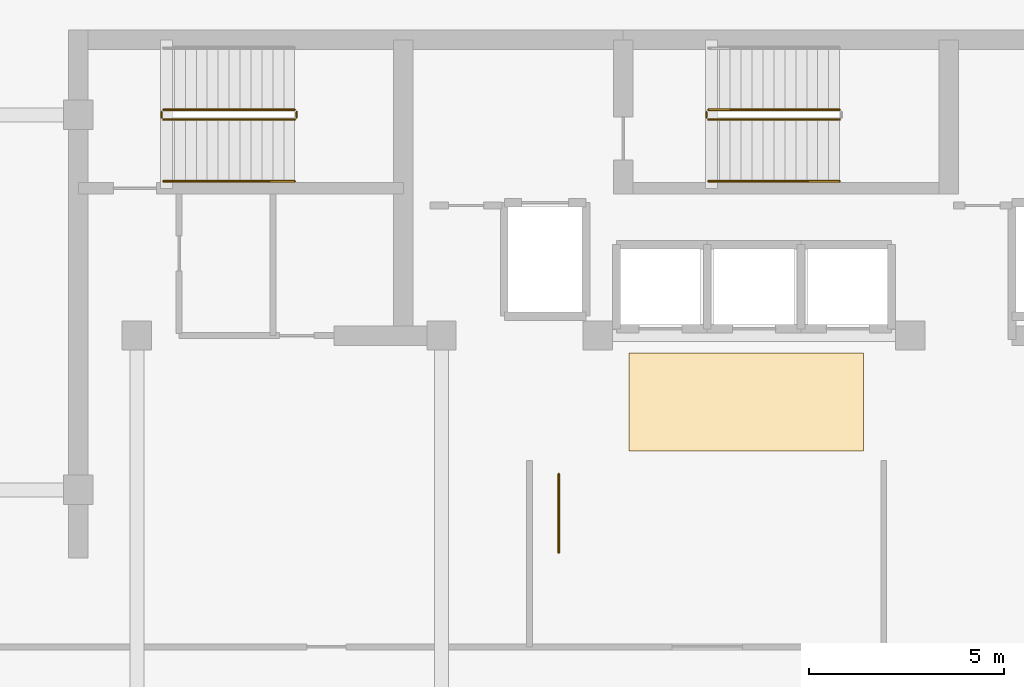
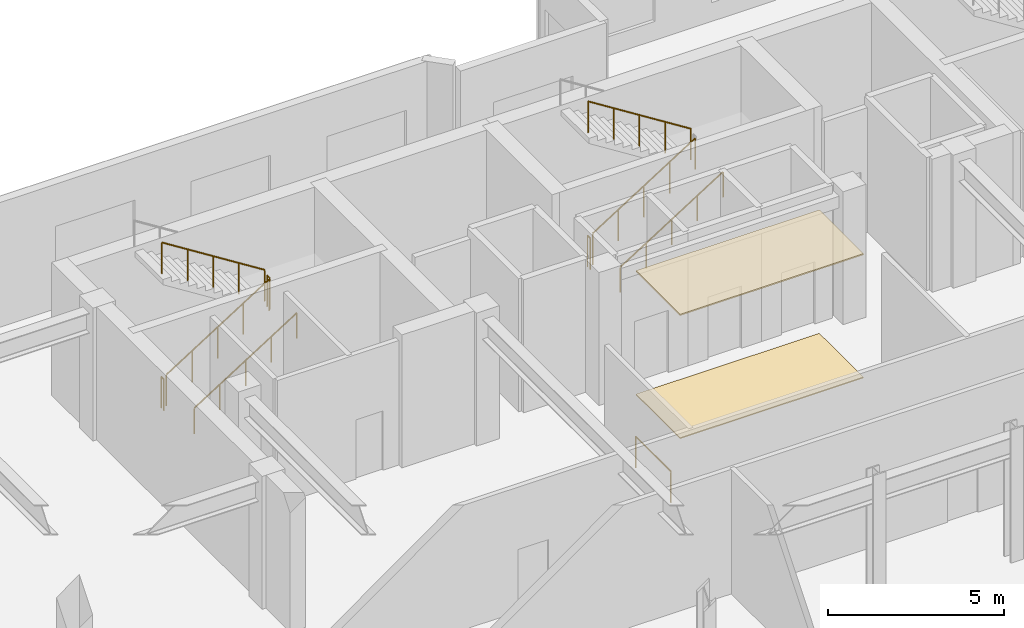
# One storey, part 11 of 14: 10 railings, 2 coverings.
"""IFC4 building model written with IfcOpenShell, lengths in metres."""

import ifcopenshell
import ifcopenshell.guid

model = None  # the IFC model being written
_history = None  # IfcOwnerHistory: only IFC2X3 demands one
_inside = {}  # id of a spatial element -> (the spatial element, [elements in it])
_under = {}  # id of a project, library or spatial element -> (it, [spatial elements below it])
_declared = {}  # id of a project -> (the project, [libraries it declares])
_typed = {}  # id of a type object -> (the type object, [elements of that type])
_made_of = {}  # id of a material, layer set ... -> (it, [elements and type objects made of it])


def new_model(schema):
    """Start an empty IFC model of exactly this schema.

    Asked for "IFC4X3", IfcOpenShell would pick the latest addendum, in which some entities
    have other attributes; the version numbers below select the first issue.
    IFC2X3 requires an IfcOwnerHistory on every rooted entity: one is made here for all.
    """
    global model, _history
    if schema == "IFC4X3":
        model = ifcopenshell.file(schema_version=(4, 3, 0, 0))
    else:
        model = ifcopenshell.file(schema=schema)
    _inside.clear()
    _under.clear()
    _declared.clear()
    _typed.clear()
    _made_of.clear()
    _history = None
    if model.schema == "IFC2X3":
        org = make("IfcOrganization", Name="unknown")
        user = make(
            "IfcPersonAndOrganization",
            ThePerson=make("IfcPerson", FamilyName="unknown"),
            TheOrganization=org,
        )
        app = make(
            "IfcApplication",
            ApplicationDeveloper=org,
            Version="unknown",
            ApplicationFullName="unknown",
            ApplicationIdentifier="unknown",
        )
        _history = make(
            "IfcOwnerHistory",
            OwningUser=user,
            OwningApplication=app,
            ChangeAction="ADDED",
            CreationDate=0,
        )
    return model


def make(cls, **values):
    """One entity of the class cls with the attributes given. An attribute that is None is left unset."""
    return model.create_entity(
        cls, **{name: value for name, value in values.items() if value is not None}
    )


def rooted(cls, **values):
    """An entity with a GlobalId (a new one), such as an element, a storey or a relation."""
    return make(cls, GlobalId=ifcopenshell.guid.new(), OwnerHistory=_history, **values)


def si_unit(unit_type, name, prefix=None):
    """IfcSIUnit, for example si_unit("LENGTHUNIT", "METRE", prefix="MILLI")."""
    return make("IfcSIUnit", UnitType=unit_type, Prefix=prefix, Name=name)


def assignment(units):
    """IfcUnitAssignment: the units of a project."""
    return None if units is None else make("IfcUnitAssignment", Units=units)


def point(xyz):
    """IfcCartesianPoint."""
    return None if xyz is None else make("IfcCartesianPoint", Coordinates=xyz)


def direction(xyz):
    """IfcDirection."""
    return None if xyz is None else make("IfcDirection", DirectionRatios=xyz)


def frame(location, z_axis=None, x_axis=None):
    """IfcAxis2Placement3D, a coordinate frame: its origin and axes. An axis left out is left unset."""
    return make(
        "IfcAxis2Placement3D",
        Location=point(location),
        Axis=direction(z_axis),
        RefDirection=direction(x_axis),
    )


def frame_2d(location, x_axis=None):
    """IfcAxis2Placement2D, a coordinate frame in the plane: its origin and x axis."""
    return make(
        "IfcAxis2Placement2D", Location=point(location), RefDirection=direction(x_axis)
    )


def origin():
    """The frame at (0, 0, 0) with its axes left unset."""
    return frame((0.0, 0.0, 0.0))


def origin_2d():
    """The frame at (0, 0) in the plane with its x axis left unset."""
    return frame_2d((0.0, 0.0))


def place(relative_to, where):
    """IfcLocalPlacement: puts the frame where relative to a parent placement (None: the world)."""
    return make(
        "IfcLocalPlacement", PlacementRelTo=relative_to, RelativePlacement=where
    )


def context(
    kind, dimensions, precision=None, world=None, true_north=None, identifier=None
):
    """IfcGeometricRepresentationContext, for example the 3D "Model" context."""
    return make(
        "IfcGeometricRepresentationContext",
        ContextIdentifier=identifier,
        ContextType=kind,
        CoordinateSpaceDimension=dimensions,
        Precision=precision,
        WorldCoordinateSystem=world,
        TrueNorth=true_north,
    )


def subcontext(parent, identifier, kind, view, scale=None):
    """IfcGeometricRepresentationSubContext, for example "Body" below "Model"."""
    return make(
        "IfcGeometricRepresentationSubContext",
        ContextIdentifier=identifier,
        ContextType=kind,
        ParentContext=parent,
        TargetScale=scale,
        TargetView=view,
    )


def project(units=None, contexts=None):
    """IfcProject with its units and contexts."""
    return rooted(
        "IfcProject",
        Name="project",
        RepresentationContexts=contexts,
        UnitsInContext=assignment(units),
    )


def spatial(cls, under=None, at=None, **own):
    """A site, building, storey or space (cls), placed at a placement, below another one or the project."""
    s = rooted(cls, ObjectPlacement=at, **own)
    if under is not None:
        _under.setdefault(under.id(), (under, []))[1].append(s)
    return s


def polyline(points):
    """IfcPolyline through the points."""
    return make("IfcPolyline", Points=[point(p) for p in points])


def profile(cls, at=None, kind="AREA", **sizes):
    """A parametric profile (cls). Its sizes go by their IFC names, for example OverallWidth=200.0."""
    return make(cls, ProfileType=kind, Position=at, **sizes)


def circle(**sizes):
    """IfcCircleProfileDef."""
    return profile("IfcCircleProfileDef", **sizes)


def outline(outer, holes=None, kind="AREA"):
    """IfcArbitraryClosedProfileDef: a profile drawn as a closed curve; with holes, ...WithVoids."""
    if holes is None:
        return make("IfcArbitraryClosedProfileDef", ProfileType=kind, OuterCurve=outer)
    return make(
        "IfcArbitraryProfileDefWithVoids",
        ProfileType=kind,
        OuterCurve=outer,
        InnerCurves=holes,
    )


def extrude(swept, where, along, depth):
    """IfcExtrudedAreaSolid: the profile swept, set in the frame where, extruded along a direction by depth."""
    return make(
        "IfcExtrudedAreaSolid",
        SweptArea=swept,
        Position=where,
        ExtrudedDirection=direction(along),
        Depth=depth,
    )


def shape(context_of_items, identifier, shape_type, items):
    """IfcShapeRepresentation: the items that make up one representation, for example the "Body"."""
    return make(
        "IfcShapeRepresentation",
        ContextOfItems=context_of_items,
        RepresentationIdentifier=identifier,
        RepresentationType=shape_type,
        Items=items,
    )


def material(Name=None, Category=None):
    """IfcMaterial."""
    return make("IfcMaterial", Name=Name, Category=Category)


def layer(
    of_material, thickness, ventilated=None, Name=None, Category=None, Priority=None
):
    """IfcMaterialLayer: one layer of a wall or slab, of a material (None: an air gap)."""
    return make(
        "IfcMaterialLayer",
        Material=of_material,
        LayerThickness=thickness,
        IsVentilated=ventilated,
        Name=Name,
        Category=Category,
        Priority=Priority,
    )


def layer_set(layers, Name=None):
    """IfcMaterialLayerSet."""
    return make("IfcMaterialLayerSet", MaterialLayers=layers, LayerSetName=Name)


def made_of(thing, what):
    """Note that an element or type object is made of a material, layer set ...; save() writes the relation."""
    if what is not None:
        _made_of.setdefault(what.id(), (what, []))[1].append(thing)
    return thing


def type_object(cls, material=None, **own):
    """A type object (cls), such as IfcWallType, which elements share."""
    return made_of(rooted(cls, **own), material)


def element(
    cls,
    number,
    at=None,
    inside=None,
    cuts=None,
    type_object=None,
    material=None,
    context=None,
    identifier="Body",
    shape_type=None,
    held_by="IfcProductDefinitionShape",
    body=None,
    shapes=None,
    **own,
):
    """One element of the class cls, such as IfcWall. Its Tag is "e" and its number.

    at: its placement. inside: the storey or other place that contains it. cuts: it is an
    opening in that element (IfcRelVoidsElement). A single representation is given by context,
    identifier, shape_type and body (its items); several are given by shapes. held_by: the class
    of the entity that holds the representations. save() writes the other relations.
    """
    e = rooted(cls, Tag="e%d" % number, ObjectPlacement=at, **own)
    if body is not None:
        shapes = [shape(context, identifier, shape_type, body)]
    if shapes is not None:
        e.Representation = make(held_by, Representations=shapes)
    if inside is not None:
        _inside.setdefault(inside.id(), (inside, []))[1].append(e)
    if cuts is not None:
        rooted(
            "IfcRelVoidsElement", RelatingBuildingElement=cuts, RelatedOpeningElement=e
        )
    if type_object is not None:
        _typed.setdefault(type_object.id(), (type_object, []))[1].append(e)
    return made_of(e, material)


def aggregate(whole, parts):
    """IfcRelAggregates: a whole, such as a stair, and the parts it consists of."""
    return rooted("IfcRelAggregates", RelatingObject=whole, RelatedObjects=parts)


def save(model, path):
    """Write the relations noted so far, then the file.

    IfcRelAggregates (storeys below a building ...), IfcRelContainedInSpatialStructure (elements
    in a storey), IfcRelDefinesByType, IfcRelAssociatesMaterial and IfcRelDeclares: one each for
    every whole, place, type object, material and project.
    """
    for whole, parts in _under.values():
        aggregate(whole, parts)
    for where, things in _inside.values():
        rooted(
            "IfcRelContainedInSpatialStructure",
            RelatedElements=things,
            RelatingStructure=where,
        )
    for kind, things in _typed.values():
        rooted("IfcRelDefinesByType", RelatedObjects=things, RelatingType=kind)
    for what, things in _made_of.values():
        rooted("IfcRelAssociatesMaterial", RelatedObjects=things, RelatingMaterial=what)
    for by, libraries in _declared.values():
        rooted("IfcRelDeclares", RelatingContext=by, RelatedDefinitions=libraries)
    model.write(path)


model = new_model("IFC4")

# Units and contexts
model_context = context("Model", 3, precision=1e-05, world=origin(), true_north=direction((0.0, 1.0)))
body_context = subcontext(model_context, "Body", "Model", "MODEL_VIEW")
ifc_project = project(units=[si_unit("LENGTHUNIT", "METRE"), si_unit("AREAUNIT", "SQUARE_METRE"), si_unit("VOLUMEUNIT", "CUBIC_METRE"), si_unit("PLANEANGLEUNIT", "RADIAN"), si_unit("MASSUNIT", "GRAM", prefix="KILO")], contexts=[model_context])

# Site, building, storey
site_placement = place(None, origin())
site = spatial("IfcSite", under=ifc_project, at=site_placement, CompositionType="ELEMENT")
building_placement = place(site_placement, origin())
building = spatial("IfcBuilding", under=site, at=building_placement, Name="Kestravale Grand Hotel", CompositionType="ELEMENT")
storey_placement = place(building_placement, frame((0.0, 0.0, 297.39990234375)))
storey = spatial("IfcBuildingStorey", under=building, at=storey_placement, Name="L74", CompositionType="ELEMENT", Elevation=297.39990234375)

# Coverings
ifc_material_1 = material(Name="Perforated gypsum and mineral-fibre acoustic ceiling", Category="other")
ifc_layer_1 = layer(ifc_material_1, 0.044921875)
ifc_layer_set_1 = layer_set([ifc_layer_1], Name="COV-INT-CEIL")
covering_type_1 = type_object("IfcCoveringType", Name="COV-INT-CEIL", PredefinedType="CEILING", material=ifc_layer_set_1)
covering_1_placement = place(storey_placement, frame((0.0, 0.0, 4.26513671875)))
element("IfcCovering", 1, at=covering_1_placement, inside=storey, type_object=covering_type_1, Name="L74 elevator lobby acoustic coffered ceiling", PredefinedType="CEILING", context=body_context, shape_type="SweptSolid", body=[
    extrude(outline(polyline([(36.0, 29.800048828125), (42.0, 29.800048828125), (42.0, 32.300048828125), (36.0, 32.300048828125), (36.0, 29.800048828125)])), origin(), (0.0, 0.0, 1.0), 0.044921875),
])
ifc_material_2 = material(Name="Polished Art Deco brass-inlaid terrazzo flooring", Category="masonry")
ifc_layer_2 = layer(ifc_material_2, 0.034912109375)
ifc_layer_set_2 = layer_set([ifc_layer_2], Name="COV-INT-TERZ")
covering_type_2 = type_object("IfcCoveringType", Name="COV-INT-TERZ", PredefinedType="FLOORING", material=ifc_layer_set_2)
covering_2_placement = place(storey_placement, origin())
element("IfcCovering", 2, at=covering_2_placement, inside=storey, type_object=covering_type_2, Name="L74 elevator lobby brass-inlaid terrazzo floor", PredefinedType="FLOORING", context=body_context, shape_type="SweptSolid", body=[
    extrude(outline(polyline([(36.0, 29.800048828125), (42.0, 29.800048828125), (42.0, 32.300048828125), (36.0, 32.300048828125), (36.0, 29.800048828125)])), origin(), (0.0, 0.0, 1.0), 0.03515625),
])

# Railings
ifc_material_3 = material(Name="Art Deco fluted bronze interior gallery balustrade", Category="steel")
railing_type_1 = type_object("IfcRailingType", Name="RL-INT-BAL1100", PredefinedType="BALUSTRADE", material=ifc_material_3)
railing_1_placement = place(storey_placement, frame((34.199951171875, 27.199951171875, 0.0)))
element("IfcRailing", 3, at=railing_1_placement, inside=storey, type_object=railing_type_1, Name="L74 Art Deco bronze concourse balustrade", PredefinedType="BALUSTRADE", context=body_context, shape_type="SweptSolid", body=[
    extrude(circle(Radius=0.02392578125, at=origin_2d()), frame((0.0, 0.0, 1.076171875), z_axis=(0.0, 1.0, 0.0), x_axis=(-1.0, 0.0, 0.0)), (0.0, 0.0, 1.0), 2.0),
    extrude(circle(Radius=0.02099609375, at=origin_2d()), origin(), (0.0, 0.0, 1.0), 1.052001953125),
    extrude(circle(Radius=0.02099609375, at=origin_2d()), frame((0.0, 2.0, 0.0)), (0.0, 0.0, 1.0), 1.052001953125),
])
ifc_material_4 = material(Name="Painted tubular steel stair well guard", Category="steel")
railing_type_2 = type_object("IfcRailingType", Name="RL-ST-GRD1100", PredefinedType="GUARDRAIL", material=ifc_material_4)
railing_2_placement = place(storey_placement, frame((24.080078125, 38.280029296875, 0.177001953125)))
element("IfcRailing", 4, at=railing_2_placement, inside=storey, type_object=railing_type_2, Name="L74 ST-1 stair guard 1", PredefinedType="GUARDRAIL", context=body_context, shape_type="SweptSolid", body=[
    extrude(circle(Radius=0.02392578125, at=origin_2d()), frame((0.0, 0.0, 1.076171875), z_axis=(0.845372108799, 0.0, 0.534177870812), x_axis=(0.0, 1.0, 0.0)), (0.0, 0.0, 1.0), 3.974365234375),
    extrude(circle(Radius=0.02099609375, at=origin_2d()), origin(), (0.0, 0.0, 1.0), 1.052001953125),
    extrude(circle(Radius=0.02099609375, at=origin_2d()), frame((0.83984375, 0.0, 0.53076171875)), (0.0, 0.0, 1.0), 1.052001953125),
    extrude(circle(Radius=0.02099609375, at=origin_2d()), frame((1.679931640625, 0.0, 1.0615234375)), (0.0, 0.0, 1.0), 1.052001953125),
    extrude(circle(Radius=0.02099609375, at=origin_2d()), frame((2.52001953125, 0.0, 1.59228515625)), (0.0, 0.0, 1.0), 1.052001953125),
    extrude(circle(Radius=0.02099609375, at=origin_2d()), frame((3.35986328125, 0.0, 2.123046875)), (0.0, 0.0, 1.0), 1.052001953125),
])
railing_3_placement = place(storey_placement, frame((27.489990234375, 38.330078125, 2.300048828125)))
element("IfcRailing", 5, at=railing_3_placement, inside=storey, type_object=railing_type_2, Name="L74 ST-1 stair guard 2", PredefinedType="GUARDRAIL", context=body_context, shape_type="SweptSolid", body=[
    extrude(circle(Radius=0.02392578125, at=origin_2d()), frame((0.0, 0.0, 1.076171875), z_axis=(0.0, 1.0, 0.0), x_axis=(-1.0, 0.0, 0.0)), (0.0, 0.0, 1.0), 0.14990234375),
    extrude(circle(Radius=0.02099609375, at=origin_2d()), origin(), (0.0, 0.0, 1.0), 1.052001953125),
    extrude(circle(Radius=0.02099609375, at=origin_2d()), frame((0.0, 0.14990234375, 0.0)), (0.0, 0.0, 1.0), 1.052001953125),
])
railing_4_placement = place(storey_placement, frame((27.43994140625, 38.530029296875, 2.47705078125)))
element("IfcRailing", 6, at=railing_4_placement, inside=storey, type_object=railing_type_2, Name="L74 ST-1 stair guard 3", PredefinedType="GUARDRAIL", context=body_context, shape_type="SweptSolid", body=[
    extrude(circle(Radius=0.02392578125, at=origin_2d()), frame((0.0, 0.0, 1.076171875), z_axis=(-0.845372108799, 0.0, 0.534177870812), x_axis=(0.0, -1.0, 0.0)), (0.0, 0.0, 1.0), 3.974365234375),
    extrude(circle(Radius=0.02099609375, at=origin_2d()), origin(), (0.0, 0.0, 1.0), 1.052001953125),
    extrude(circle(Radius=0.02099609375, at=origin_2d()), frame((-0.83984375, 0.0, 0.53076171875)), (0.0, 0.0, 1.0), 1.052001953125),
    extrude(circle(Radius=0.02099609375, at=origin_2d()), frame((-1.679931640625, 0.0, 1.0615234375)), (0.0, 0.0, 1.0), 1.052001953125),
    extrude(circle(Radius=0.02099609375, at=origin_2d()), frame((-2.52001953125, 0.0, 1.59228515625)), (0.0, 0.0, 1.0), 1.052001953125),
    extrude(circle(Radius=0.02099609375, at=origin_2d()), frame((-3.35986328125, 0.0, 2.123046875)), (0.0, 0.0, 1.0), 1.052001953125),
])
railing_5_placement = place(storey_placement, frame((24.030029296875, 38.330078125, 0.0)))
element("IfcRailing", 7, at=railing_5_placement, inside=storey, type_object=railing_type_2, Name="L74 ST-1 stair guard 4", PredefinedType="GUARDRAIL", context=body_context, shape_type="SweptSolid", body=[
    extrude(circle(Radius=0.02392578125, at=origin_2d()), frame((0.0, 0.0, 1.076171875), z_axis=(0.0, 1.0, 0.0), x_axis=(-1.0, 0.0, 0.0)), (0.0, 0.0, 1.0), 0.14990234375),
    extrude(circle(Radius=0.02099609375, at=origin_2d()), origin(), (0.0, 0.0, 1.0), 1.052001953125),
    extrude(circle(Radius=0.02099609375, at=origin_2d()), frame((0.0, 0.14990234375, 0.0)), (0.0, 0.0, 1.0), 1.052001953125),
])
railing_6_placement = place(storey_placement, frame((38.030029296875, 38.280029296875, 0.177001953125)))
element("IfcRailing", 8, at=railing_6_placement, inside=storey, type_object=railing_type_2, Name="L74 ST-2 stair guard 1", PredefinedType="GUARDRAIL", context=body_context, shape_type="SweptSolid", body=[
    extrude(circle(Radius=0.02392578125, at=origin_2d()), frame((0.0, 0.0, 1.076171875), z_axis=(0.845372108799, 0.0, 0.534177870812), x_axis=(0.0, 1.0, 0.0)), (0.0, 0.0, 1.0), 3.974365234375),
    extrude(circle(Radius=0.02099609375, at=origin_2d()), origin(), (0.0, 0.0, 1.0), 1.052001953125),
    extrude(circle(Radius=0.02099609375, at=origin_2d()), frame((0.83984375, 0.0, 0.53076171875)), (0.0, 0.0, 1.0), 1.052001953125),
    extrude(circle(Radius=0.02099609375, at=origin_2d()), frame((1.679931640625, 0.0, 1.0615234375)), (0.0, 0.0, 1.0), 1.052001953125),
    extrude(circle(Radius=0.02099609375, at=origin_2d()), frame((2.52001953125, 0.0, 1.59228515625)), (0.0, 0.0, 1.0), 1.052001953125),
    extrude(circle(Radius=0.02099609375, at=origin_2d()), frame((3.35986328125, 0.0, 2.123046875)), (0.0, 0.0, 1.0), 1.052001953125),
])
railing_7_placement = place(storey_placement, frame((41.389892578125, 38.530029296875, 2.47705078125)))
element("IfcRailing", 9, at=railing_7_placement, inside=storey, type_object=railing_type_2, Name="L74 ST-2 stair guard 3", PredefinedType="GUARDRAIL", context=body_context, shape_type="SweptSolid", body=[
    extrude(circle(Radius=0.02392578125, at=origin_2d()), frame((0.0, 0.0, 1.076171875), z_axis=(-0.845372108799, 0.0, 0.534177870812), x_axis=(0.0, -1.0, 0.0)), (0.0, 0.0, 1.0), 3.974365234375),
    extrude(circle(Radius=0.02099609375, at=origin_2d()), origin(), (0.0, 0.0, 1.0), 1.052001953125),
    extrude(circle(Radius=0.02099609375, at=origin_2d()), frame((-0.83984375, 0.0, 0.53076171875)), (0.0, 0.0, 1.0), 1.052001953125),
    extrude(circle(Radius=0.02099609375, at=origin_2d()), frame((-1.679931640625, 0.0, 1.0615234375)), (0.0, 0.0, 1.0), 1.052001953125),
    extrude(circle(Radius=0.02099609375, at=origin_2d()), frame((-2.52001953125, 0.0, 1.59228515625)), (0.0, 0.0, 1.0), 1.052001953125),
    extrude(circle(Radius=0.02099609375, at=origin_2d()), frame((-3.35986328125, 0.0, 2.123046875)), (0.0, 0.0, 1.0), 1.052001953125),
])
railing_8_placement = place(storey_placement, frame((37.97998046875, 38.330078125, 0.0)))
element("IfcRailing", 10, at=railing_8_placement, inside=storey, type_object=railing_type_2, Name="L74 ST-2 stair guard 4", PredefinedType="GUARDRAIL", context=body_context, shape_type="SweptSolid", body=[
    extrude(circle(Radius=0.02392578125, at=origin_2d()), frame((0.0, 0.0, 1.076171875), z_axis=(0.0, 1.0, 0.0), x_axis=(-1.0, 0.0, 0.0)), (0.0, 0.0, 1.0), 0.14990234375),
    extrude(circle(Radius=0.02099609375, at=origin_2d()), origin(), (0.0, 0.0, 1.0), 1.052001953125),
    extrude(circle(Radius=0.02099609375, at=origin_2d()), frame((0.0, 0.14990234375, 0.0)), (0.0, 0.0, 1.0), 1.052001953125),
])
ifc_material_5 = material(Name="Brushed stainless steel wall handrail", Category="steel")
railing_type_3 = type_object("IfcRailingType", Name="RL-ST-HND900", PredefinedType="HANDRAIL", material=ifc_material_5)
for number, where, name in (
    (11, (24.080078125, 36.699951171875, 0.177001953125), "L74 ST-1 stair handrail 1"),
    (12, (38.030029296875, 36.699951171875, 0.177001953125), "L74 ST-2 stair handrail 1"),
):
    element("IfcRailing", number, at=place(storey_placement, frame(where)), inside=storey, type_object=railing_type_3, Name=name, PredefinedType="HANDRAIL", context=body_context, shape_type="SweptSolid", body=[
        extrude(circle(Radius=0.02392578125, at=origin_2d()), frame((0.0, 0.0, 0.8759765625), z_axis=(0.845372108799, 0.0, 0.534177870812), x_axis=(0.0, 1.0, 0.0)), (0.0, 0.0, 1.0), 3.974365234375),
        extrude(circle(Radius=0.02099609375, at=origin_2d()), origin(), (0.0, 0.0, 1.0), 0.851806640625),
        extrude(circle(Radius=0.02099609375, at=origin_2d()), frame((0.83984375, 0.0, 0.53076171875)), (0.0, 0.0, 1.0), 0.851806640625),
        extrude(circle(Radius=0.02099609375, at=origin_2d()), frame((1.679931640625, 0.0, 1.0615234375)), (0.0, 0.0, 1.0), 0.851806640625),
        extrude(circle(Radius=0.02099609375, at=origin_2d()), frame((2.52001953125, 0.0, 1.59228515625)), (0.0, 0.0, 1.0), 0.851806640625),
        extrude(circle(Radius=0.02099609375, at=origin_2d()), frame((3.35986328125, 0.0, 2.123046875)), (0.0, 0.0, 1.0), 0.851806640625),
    ])

save(model, "model.ifc")
